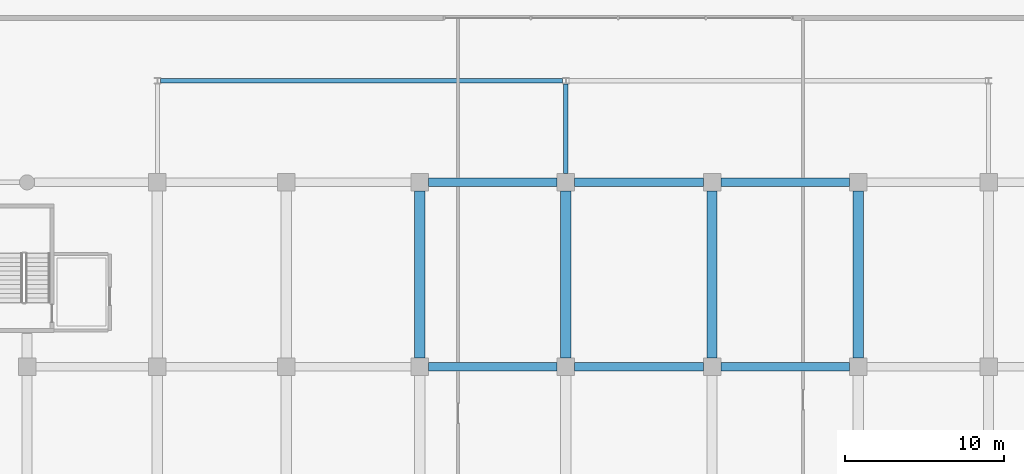
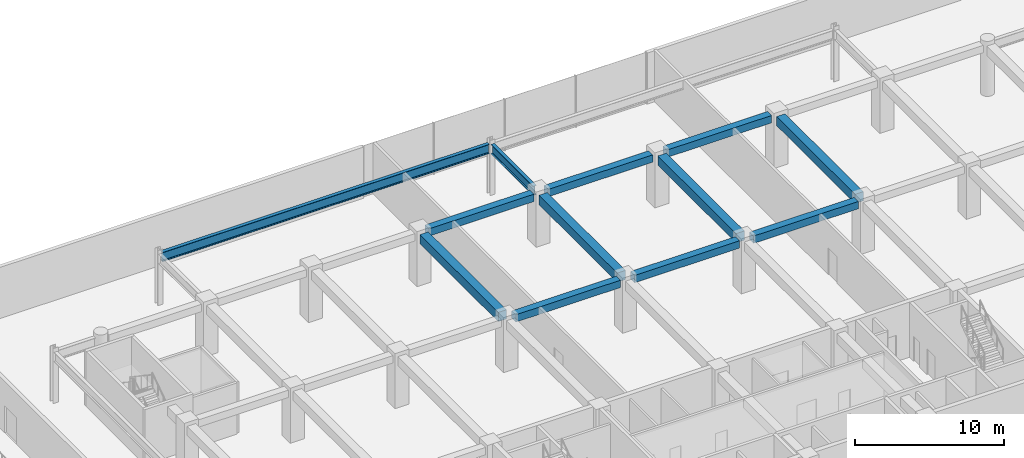
# One storey, part 12 of 40: 12 beams.
"""IFC4 building model written with IfcOpenShell, lengths in metres."""

from ifc_helpers import new_model, si_unit, direction, frame, origin, origin_2d, place, context, subcontext, project, spatial, rectangle, i_section, extrude, material, material_profile, profile_set, type_object, element, save


model = new_model("IFC4")

# Units and contexts
model_context = context("Model", 3, precision=1e-05, world=origin(), true_north=direction((0.0, 1.0)))
body_context = subcontext(model_context, "Body", "Model", "MODEL_VIEW")
ifc_project = project(units=[si_unit("LENGTHUNIT", "METRE"), si_unit("AREAUNIT", "SQUARE_METRE"), si_unit("VOLUMEUNIT", "CUBIC_METRE"), si_unit("PLANEANGLEUNIT", "RADIAN"), si_unit("MASSUNIT", "GRAM", prefix="KILO")], contexts=[model_context])

# Site, building, storey
site_placement = place(None, origin())
site = spatial("IfcSite", under=ifc_project, at=site_placement, CompositionType="ELEMENT")
building_placement = place(site_placement, origin())
building = spatial("IfcBuilding", under=site, at=building_placement, Name="Korimba Cascade Residences", CompositionType="ELEMENT")
storey_placement = place(building_placement, frame((0.0, 0.0, 14.5)))
storey = spatial("IfcBuildingStorey", under=building, at=storey_placement, Name="L03", CompositionType="ELEMENT", Elevation=14.5)

# Beams
ifc_material_1 = material(Name="Concrete C50/60", Category="concrete")
ifc_material_profile_1 = material_profile(ifc_material_1, rectangle(XDim=0.550048828125, YDim=0.60009765625, at=origin_2d()), Name="Concrete C50/60")
ifc_profile_set_1 = profile_set([ifc_material_profile_1], Name="Concrete C50/60")
beam_type_1 = type_object("IfcBeamType", Name="BM-RC-B600", PredefinedType="BEAM", material=ifc_profile_set_1)
beam_1_placement = place(storey_placement, frame((85.050048828125, 79.60009765625, 3.8798828125), z_axis=(1.0, 0.0, 0.0), x_axis=(0.0, 1.0, 0.0)))
element("IfcBeam", 1, at=beam_1_placement, inside=storey, type_object=beam_type_1, Name="L03 T1 E-W Girder Y3 Bay 4", PredefinedType="BEAM", context=body_context, shape_type="SweptSolid", body=[
    extrude(rectangle(XDim=0.550048828125, YDim=0.60009765625, at=origin_2d()), origin(), (0.0, 0.0, 1.0), 8.099853515625),
])
for number, where, z_axis, x_axis, name in (
    (2, (94.25, 79.60009765625, 3.8798828125), (1.0, 0.0, 0.0), (0.0, 1.0, 0.0), "L03 T1 E-W Girder Y3 Bay 5"),
    (3, (103.449951171875, 79.60009765625, 3.8798828125), (1.0, 0.0, 0.0), (0.0, 1.0, 0.0), "L03 T1 E-W Girder Y3 Bay 6"),
):
    element("IfcBeam", number, at=place(storey_placement, frame(where, z_axis=z_axis, x_axis=x_axis)), inside=storey, type_object=beam_type_1, Name=name, PredefinedType="BEAM", context=body_context, shape_type="SweptSolid", body=[
        extrude(rectangle(XDim=0.550048828125, YDim=0.60009765625, at=origin_2d()), origin(), (0.0, 0.0, 1.0), 8.10009765625),
    ])
beam_2_placement = place(storey_placement, frame((85.050048828125, 91.199951171875, 3.8798828125), z_axis=(1.0, 0.0, 0.0), x_axis=(0.0, 1.0, 0.0)))
element("IfcBeam", 4, at=beam_2_placement, inside=storey, type_object=beam_type_1, Name="L03 T1 E-W Girder Y4 Bay 4", PredefinedType="BEAM", context=body_context, shape_type="SweptSolid", body=[
    extrude(rectangle(XDim=0.550048828125, YDim=0.60009765625, at=origin_2d()), origin(), (0.0, 0.0, 1.0), 8.099853515625),
])
for number, where, z_axis, x_axis, name in (
    (5, (94.25, 91.199951171875, 3.8798828125), (1.0, 0.0, 0.0), (0.0, 1.0, 0.0), "L03 T1 E-W Girder Y4 Bay 5"),
    (6, (103.449951171875, 91.199951171875, 3.8798828125), (1.0, 0.0, 0.0), (0.0, 1.0, 0.0), "L03 T1 E-W Girder Y4 Bay 6"),
):
    element("IfcBeam", number, at=place(storey_placement, frame(where, z_axis=z_axis, x_axis=x_axis)), inside=storey, type_object=beam_type_1, Name=name, PredefinedType="BEAM", context=body_context, shape_type="SweptSolid", body=[
        extrude(rectangle(XDim=0.550048828125, YDim=0.60009765625, at=origin_2d()), origin(), (0.0, 0.0, 1.0), 8.10009765625),
    ])
ifc_material_profile_2 = material_profile(ifc_material_1, rectangle(XDim=0.64990234375, YDim=0.75, at=origin_2d()), Name="Concrete C50/60")
ifc_profile_set_2 = profile_set([ifc_material_profile_2], Name="Concrete C50/60")
beam_type_2 = type_object("IfcBeamType", Name="BM-RC-G750", PredefinedType="BEAM", material=ifc_profile_set_2)
for number, where, z_axis, x_axis, name in (
    (7, (84.5, 80.14990234375, 3.804931640625), (0.0, 1.0, 0.0), (-1.0, 0.0, 0.0), "L03 T1 N-S Girder X4 Seg 3"),
    (8, (93.699951171875, 80.14990234375, 3.804931640625), (0.0, 1.0, 0.0), (-1.0, 0.0, 0.0), "L03 T1 N-S Girder X5 Seg 3"),
    (9, (102.89990234375, 80.14990234375, 3.804931640625), (0.0, 1.0, 0.0), (-1.0, 0.0, 0.0), "L03 T1 N-S Girder X6 Seg 3"),
    (10, (112.10009765625, 80.14990234375, 3.804931640625), (0.0, 1.0, 0.0), (-1.0, 0.0, 0.0), "L03 T1 N-S Girder X7 Seg 3"),
):
    element("IfcBeam", number, at=place(storey_placement, frame(where, z_axis=z_axis, x_axis=x_axis)), inside=storey, type_object=beam_type_2, Name=name, PredefinedType="BEAM", context=body_context, shape_type="SweptSolid", body=[
        extrude(rectangle(XDim=0.64990234375, YDim=0.75, at=origin_2d()), origin(), (0.0, 0.0, 1.0), 10.5),
    ])
ifc_material_2 = material(Name="Steel S355", Category="steel")
ifc_material_profile_3 = material_profile(ifc_material_2, i_section(OverallWidth=0.26806640625, OverallDepth=0.769775390625, WebThickness=0.015625, FlangeThickness=0.025390625, FilletRadius=0.0166015625, at=origin_2d()), Name="Steel S355")
ifc_profile_set_3 = profile_set([ifc_material_profile_3], Name="Steel S355")
beam_type_3 = type_object("IfcBeamType", Name="BM-STL-UB762", PredefinedType="BEAM", material=ifc_profile_set_3)
beam_3_placement = place(storey_placement, frame((93.699951171875, 91.75, 3.795166015625), z_axis=(0.0, 1.0, 0.0), x_axis=(-1.0, 0.0, 0.0)))
element("IfcBeam", 11, at=beam_3_placement, inside=storey, type_object=beam_type_3, Name="L03 Podium Frame Girder N2", PredefinedType="BEAM", context=body_context, shape_type="SweptSolid", body=[
    extrude(i_section(OverallWidth=0.26806640625, OverallDepth=0.769775390625, WebThickness=0.015625, FlangeThickness=0.025390625, FilletRadius=0.0166015625, at=origin_2d()), origin(), (0.0, 0.0, 1.0), 5.6533203125),
])
beam_4_placement = place(storey_placement, frame((68.199462890625, 97.60009765625, 3.795166015625), z_axis=(1.0, 0.0, 0.0), x_axis=(0.0, 1.0, 0.0)))
element("IfcBeam", 12, at=beam_4_placement, inside=storey, type_object=beam_type_3, Name="L03 Podium Frame Girder NH1", PredefinedType="BEAM", context=body_context, shape_type="SweptSolid", body=[
    extrude(i_section(OverallWidth=0.26806640625, OverallDepth=0.769775390625, WebThickness=0.015625, FlangeThickness=0.025390625, FilletRadius=0.0166015625, at=origin_2d()), origin(), (0.0, 0.0, 1.0), 25.301025390625),
])

save(model, "model.ifc")
